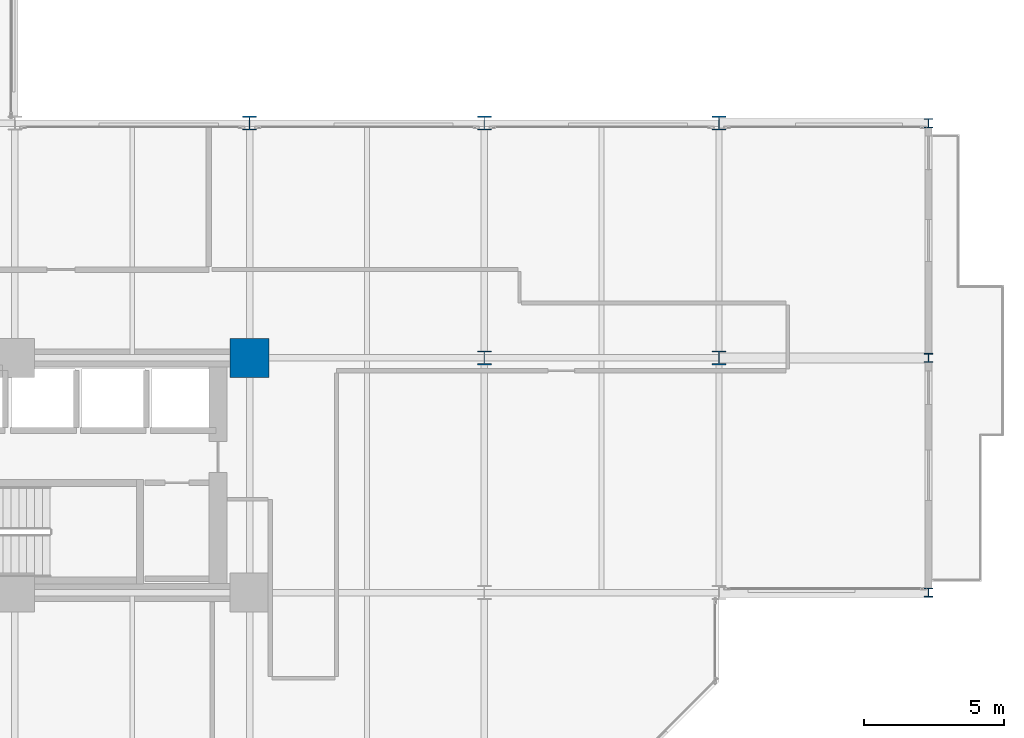
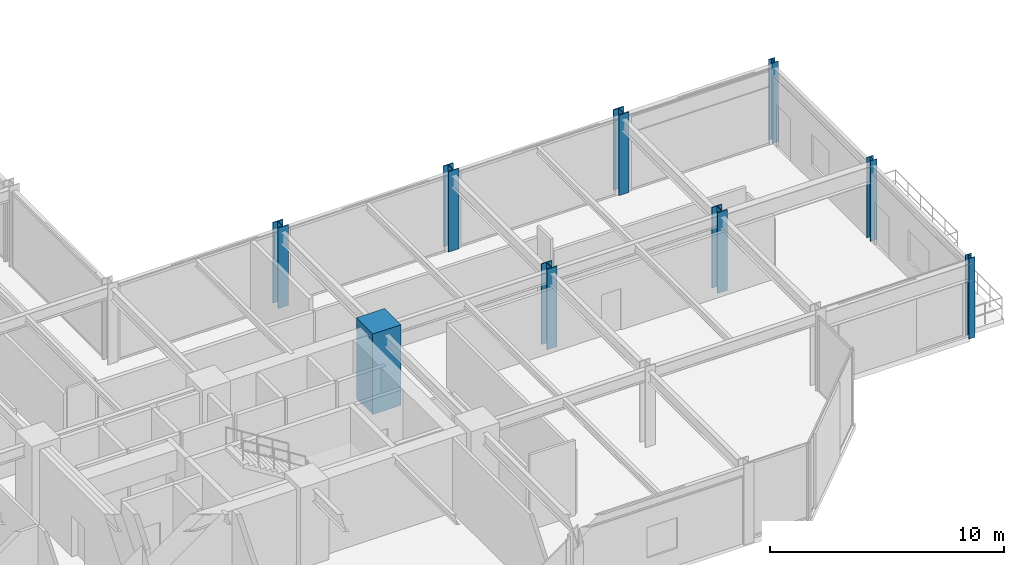
# One storey, part 2 of 26: 9 columns.
"""IFC4 building model written with IfcOpenShell, lengths in metres."""

from ifc_helpers import new_model, si_unit, direction, frame, origin, origin_2d, place, context, subcontext, project, spatial, rectangle, i_section, extrude, material, material_profile, profile_set, type_object, element, save


model = new_model("IFC4")

# Units and contexts
model_context = context("Model", 3, precision=1e-05, world=origin(), true_north=direction((0.0, 1.0)))
body_context = subcontext(model_context, "Body", "Model", "MODEL_VIEW")
ifc_project = project(units=[si_unit("LENGTHUNIT", "METRE"), si_unit("AREAUNIT", "SQUARE_METRE"), si_unit("VOLUMEUNIT", "CUBIC_METRE"), si_unit("PLANEANGLEUNIT", "RADIAN"), si_unit("MASSUNIT", "GRAM", prefix="KILO")], contexts=[model_context])

# Site, building, storey
site_placement = place(None, origin())
site = spatial("IfcSite", under=ifc_project, at=site_placement, CompositionType="ELEMENT")
building_placement = place(site_placement, origin())
building = spatial("IfcBuilding", under=site, at=building_placement, Name="Nerrivon Quay Data Exchange", CompositionType="ELEMENT")
storey_placement = place(building_placement, frame((0.0, 0.0, 71.0)))
storey = spatial("IfcBuildingStorey", under=building, at=storey_placement, Name="L16", CompositionType="ELEMENT", Elevation=71.0)

# Columns
ifc_material_1 = material(Name="Concrete N80 (80 MPa)", Category="concrete")
ifc_material_profile_1 = material_profile(ifc_material_1, rectangle(XDim=1.39990234375, YDim=1.39990234375, at=origin_2d()), Name="RC-COL-1400x1400")
ifc_profile_set_1 = profile_set([ifc_material_profile_1], Name="Concrete N80 (80 MPa)")
column_type_1 = type_object("IfcColumnType", Name="COL-C2-1400", PredefinedType="COLUMN", material=ifc_profile_set_1)
column_placement = place(storey_placement, frame((33.60009765625, 16.800048828125, 0.0), z_axis=(0.0, 0.0, 1.0), x_axis=(1.0, 0.0, 0.0)))
element("IfcColumn", 1, at=column_placement, inside=storey, type_object=column_type_1, Name="L16 Column (33.6,16.8)", PredefinedType="COLUMN", context=body_context, shape_type="SweptSolid", body=[
    extrude(rectangle(XDim=1.39990234375, YDim=1.39990234375, at=origin_2d()), origin(), (0.0, 0.0, 1.0), 4.199951171875),
])
ifc_material_2 = material(Name="Steel Grade 350", Category="steel")
ifc_material_profile_2 = material_profile(ifc_material_2, i_section(OverallWidth=0.5, OverallDepth=0.5, WebThickness=0.028076171875, FlangeThickness=0.0400390625, at=origin_2d()), Name="500WC440")
ifc_profile_set_2 = profile_set([ifc_material_profile_2], Name="Steel Grade 350")
column_type_2 = type_object("IfcColumnType", Name="COL-SC1-500WC", PredefinedType="COLUMN", material=ifc_profile_set_2)
for number, where, z_axis, x_axis, name in (
    (2, (33.60009765625, 25.199951171875, 0.0), (0.0, 0.0, 1.0), (1.0, 0.0, 0.0), "L16 Column (33.6,25.2)"),
    (3, (42.0, 16.800048828125, 0.0), (0.0, 0.0, 1.0), (1.0, 0.0, 0.0), "L16 Column (42.0,16.8)"),
    (4, (42.0, 25.199951171875, 0.0), (0.0, 0.0, 1.0), (1.0, 0.0, 0.0), "L16 Column (42.0,25.2)"),
    (5, (50.39990234375, 16.800048828125, 0.0), (0.0, 0.0, 1.0), (1.0, 0.0, 0.0), "L16 Column (50.4,16.8)"),
    (6, (50.39990234375, 25.199951171875, 0.0), (0.0, 0.0, 1.0), (1.0, 0.0, 0.0), "L16 Column (50.4,25.2)"),
):
    element("IfcColumn", number, at=place(storey_placement, frame(where, z_axis=z_axis, x_axis=x_axis)), inside=storey, type_object=column_type_2, Name=name, PredefinedType="COLUMN", context=body_context, shape_type="SweptSolid", body=[
        extrude(i_section(OverallWidth=0.5, OverallDepth=0.5, WebThickness=0.028076171875, FlangeThickness=0.0400390625, at=origin_2d()), origin(), (0.0, 0.0, 1.0), 4.199951171875),
    ])
ifc_material_profile_3 = material_profile(ifc_material_2, i_section(OverallWidth=0.31103515625, OverallDepth=0.326904296875, WebThickness=0.015625, FlangeThickness=0.02490234375, FilletRadius=0.0166015625, at=origin_2d()), Name="310UC158")
ifc_profile_set_3 = profile_set([ifc_material_profile_3], Name="Steel Grade 350")
column_type_3 = type_object("IfcColumnType", Name="COL-SC4-310UC158", PredefinedType="COLUMN", material=ifc_profile_set_3)
for number, where, z_axis, x_axis, name in (
    (7, (57.89990234375, 8.39990234375, 0.0), (0.0, 0.0, 1.0), (1.0, 0.0, 0.0), "L16 East Hooked Post (57.9,8.4)"),
    (8, (57.89990234375, 16.800048828125, 0.0), (0.0, 0.0, 1.0), (1.0, 0.0, 0.0), "L16 East Hooked Post (57.9,16.8)"),
    (9, (57.89990234375, 25.199951171875, 0.0), (0.0, 0.0, 1.0), (1.0, 0.0, 0.0), "L16 East Hooked Post (57.9,25.2)"),
):
    element("IfcColumn", number, at=place(storey_placement, frame(where, z_axis=z_axis, x_axis=x_axis)), inside=storey, type_object=column_type_3, Name=name, PredefinedType="COLUMN", context=body_context, shape_type="SweptSolid", body=[
        extrude(i_section(OverallWidth=0.31103515625, OverallDepth=0.326904296875, WebThickness=0.015625, FlangeThickness=0.02490234375, FilletRadius=0.0166015625, at=origin_2d()), origin(), (0.0, 0.0, 1.0), 4.199951171875),
    ])

save(model, "model.ifc")
